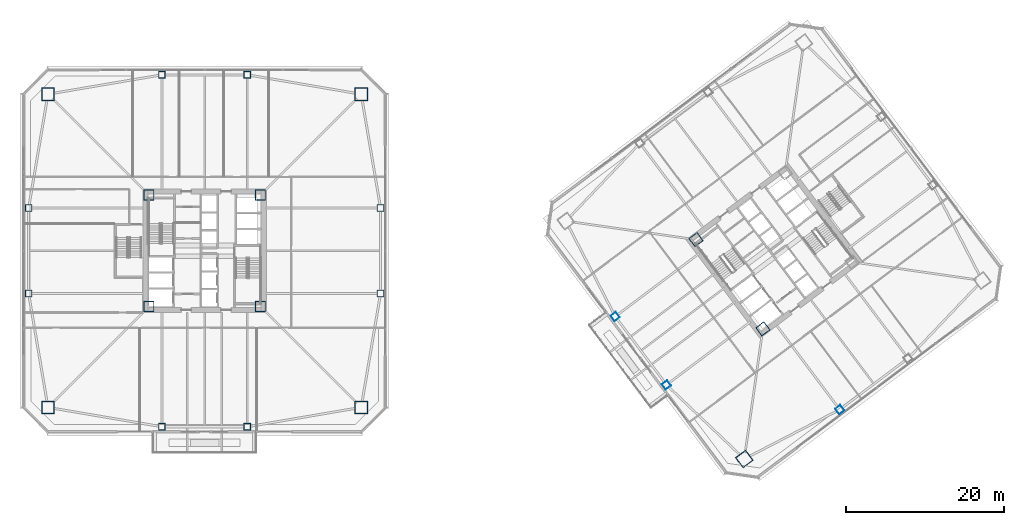
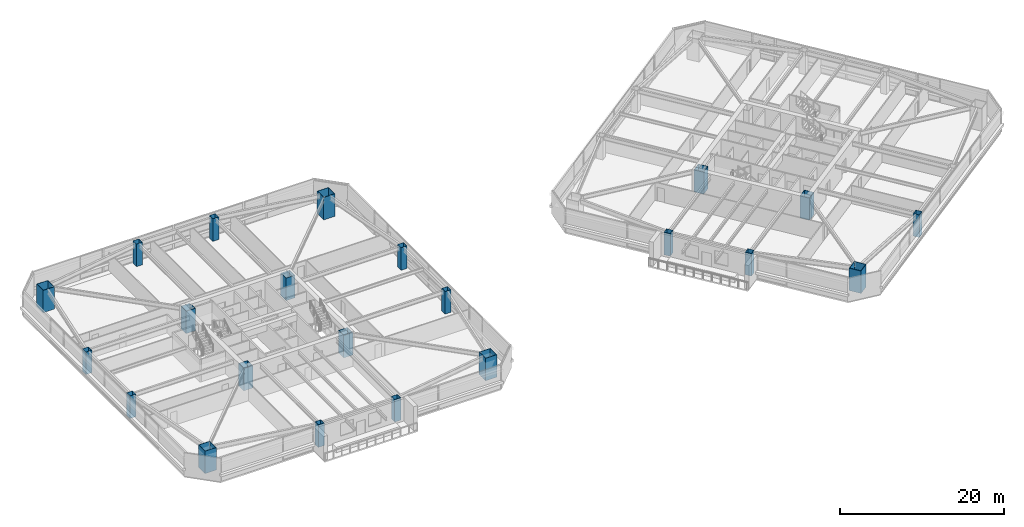
# One storey, part 1 of 48: 22 columns.
"""IFC4 building model written with IfcOpenShell, lengths in metres."""

from ifc_helpers import new_model, si_unit, direction, frame, origin, origin_2d, place, context, subcontext, project, spatial, hollow_rectangle, extrude, material, material_profile, profile_set, type_object, element, save


model = new_model("IFC4")

# Units and contexts
model_context = context("Model", 3, precision=1e-05, world=origin(), true_north=direction((0.0, 1.0)))
body_context = subcontext(model_context, "Body", "Model", "MODEL_VIEW")
ifc_project = project(units=[si_unit("LENGTHUNIT", "METRE"), si_unit("AREAUNIT", "SQUARE_METRE"), si_unit("VOLUMEUNIT", "CUBIC_METRE"), si_unit("PLANEANGLEUNIT", "RADIAN"), si_unit("MASSUNIT", "GRAM", prefix="KILO")], contexts=[model_context])

# Site, building, storey
site_placement = place(None, origin())
site = spatial("IfcSite", under=ifc_project, at=site_placement, CompositionType="ELEMENT")
building_placement = place(site_placement, origin())
building = spatial("IfcBuilding", under=site, at=building_placement, Name="Tashvorn Skyway Center", CompositionType="ELEMENT")
storey_placement = place(building_placement, frame((0.0, 0.0, 56.550048828125)))
storey = spatial("IfcBuildingStorey", under=building, at=storey_placement, Name="L14", CompositionType="ELEMENT", Elevation=56.550048828125)

# Columns
ifc_material = material(Name="Steel ASTM A572 Grade 50", Category="steel")
ifc_material_profile_1 = material_profile(ifc_material, hollow_rectangle(XDim=1.300048828125, YDim=1.300048828125, WallThickness=0.050048828125, at=origin_2d()), Name="BOX1300x1300x50")
ifc_profile_set_1 = profile_set([ifc_material_profile_1], Name="Steel ASTM A572 Grade 50")
column_type_1 = type_object("IfcColumnType", Name="COL-BOX1300x1300x50", PredefinedType="COLUMN", material=ifc_profile_set_1)
for number, where, z_axis, x_axis, name in (
    (1, (34.949951171875, 24.949951171875, 0.0), (0.0, 0.0, 1.0), (1.0, 0.0, 0.0), "Tower 1 L14 Core Corner Column CC-SW"),
    (2, (49.050048828125, 24.949951171875, 0.0), (0.0, 0.0, 1.0), (1.0, 0.0, 0.0), "Tower 1 L14 Core Corner Column CC-SE"),
    (3, (49.050048828125, 39.050048828125, 0.0), (0.0, 0.0, 1.0), (1.0, 0.0, 0.0), "Tower 1 L14 Core Corner Column CC-NE"),
    (4, (34.949951171875, 39.050048828125, 0.0), (0.0, 0.0, 1.0), (1.0, 0.0, 0.0), "Tower 1 L14 Core Corner Column CC-NW"),
    (5, (112.590087890625, 22.1298828125, 0.0), (0.0, 0.0, 1.0), (0.799999996291, 0.600000004945, 0.0), "Tower 2 L14 Core Corner Column CC-SW"),
    (6, (104.1298828125, 33.409912109375, 0.0), (0.0, 0.0, 1.0), (0.799999996291, 0.600000004945, 0.0), "Tower 2 L14 Core Corner Column CC-NW"),
):
    element("IfcColumn", number, at=place(storey_placement, frame(where, z_axis=z_axis, x_axis=x_axis)), inside=storey, type_object=column_type_1, Name=name, PredefinedType="COLUMN", context=body_context, shape_type="SweptSolid", body=[
        extrude(hollow_rectangle(XDim=1.300048828125, YDim=1.300048828125, WallThickness=0.050048828125, at=origin_2d()), origin(), (0.0, 0.0, 1.0), 3.349853515625),
    ])
ifc_material_profile_2 = material_profile(ifc_material, hollow_rectangle(XDim=1.60009765625, YDim=1.60009765625, WallThickness=0.06005859375, at=origin_2d()), Name="BOX1600x1600x60")
ifc_profile_set_2 = profile_set([ifc_material_profile_2], Name="Steel ASTM A572 Grade 50")
column_type_2 = type_object("IfcColumnType", Name="COL-BOX1600x1600x60", PredefinedType="COLUMN", material=ifc_profile_set_2)
for number, where, z_axis, x_axis, name in (
    (7, (22.199951171875, 12.199951171875, 0.0), (0.0, 0.0, 1.0), (1.0, 0.0, 0.0), "Tower 1 L14 Mega-Column MC-SW"),
    (8, (61.800048828125, 12.199951171875, 0.0), (0.0, 0.0, 1.0), (1.0, 0.0, 0.0), "Tower 1 L14 Mega-Column MC-SE"),
    (9, (61.800048828125, 51.800048828125, 0.0), (0.0, 0.0, 1.0), (1.0, 0.0, 0.0), "Tower 1 L14 Mega-Column MC-NE"),
    (10, (22.199951171875, 51.800048828125, 0.0), (0.0, 0.0, 1.0), (1.0, 0.0, 0.0), "Tower 1 L14 Mega-Column MC-NW"),
    (11, (110.239990234375, 5.679931640625, 0.0), (0.0, 0.0, 1.0), (0.799999996291, 0.600000004945, 0.0), "Tower 2 L14 Mega-Column MC-SW"),
):
    element("IfcColumn", number, at=place(storey_placement, frame(where, z_axis=z_axis, x_axis=x_axis)), inside=storey, type_object=column_type_2, Name=name, PredefinedType="COLUMN", context=body_context, shape_type="SweptSolid", body=[
        extrude(hollow_rectangle(XDim=1.60009765625, YDim=1.60009765625, WallThickness=0.06005859375, at=origin_2d()), origin(), (0.0, 0.0, 1.0), 3.349853515625),
    ])
ifc_material_profile_3 = material_profile(ifc_material, hollow_rectangle(XDim=0.85009765625, YDim=0.85009765625, WallThickness=0.034912109375, at=origin_2d()), Name="BOX850x850x35")
ifc_profile_set_3 = profile_set([ifc_material_profile_3], Name="Steel ASTM A572 Grade 50")
column_type_3 = type_object("IfcColumnType", Name="COL-BOX850x850x35", PredefinedType="COLUMN", material=ifc_profile_set_3)
for number, where, z_axis, x_axis, name in (
    (12, (36.60009765625, 9.75, 0.0), (0.0, 0.0, 1.0), (1.0, 0.0, 0.0), "Tower 1 L14 Perimeter Column FC-S1"),
    (13, (47.39990234375, 9.75, 0.0), (0.0, 0.0, 1.0), (1.0, 0.0, 0.0), "Tower 1 L14 Perimeter Column FC-S2"),
    (14, (64.25, 26.60009765625, 0.0), (0.0, 0.0, 1.0), (1.0, 0.0, 0.0), "Tower 1 L14 Perimeter Column FC-E1"),
    (15, (64.25, 37.39990234375, 0.0), (0.0, 0.0, 1.0), (1.0, 0.0, 0.0), "Tower 1 L14 Perimeter Column FC-E2"),
    (16, (47.39990234375, 54.25, 0.0), (0.0, 0.0, 1.0), (1.0, 0.0, 0.0), "Tower 1 L14 Perimeter Column FC-N1"),
    (17, (36.60009765625, 54.25, 0.0), (0.0, 0.0, 1.0), (1.0, 0.0, 0.0), "Tower 1 L14 Perimeter Column FC-N2"),
    (18, (19.75, 37.39990234375, 0.0), (0.0, 0.0, 1.0), (1.0, 0.0, 0.0), "Tower 1 L14 Perimeter Column FC-W1"),
    (19, (19.75, 26.60009765625, 0.0), (0.0, 0.0, 1.0), (1.0, 0.0, 0.0), "Tower 1 L14 Perimeter Column FC-W2"),
    (20, (122.31005859375, 11.919921875, 0.0), (0.0, 0.0, 1.0), (0.799999996291, 0.600000004945, 0.0), "Tower 2 L14 Perimeter Column FC-S1"),
    (21, (93.919921875, 23.68994140625, 0.0), (0.0, 0.0, 1.0), (0.799999996291, 0.600000004945, 0.0), "Tower 2 L14 Perimeter Column FC-W1"),
    (22, (100.39990234375, 15.050048828125, 0.0), (0.0, 0.0, 1.0), (0.799999996291, 0.600000004945, 0.0), "Tower 2 L14 Perimeter Column FC-W2"),
):
    element("IfcColumn", number, at=place(storey_placement, frame(where, z_axis=z_axis, x_axis=x_axis)), inside=storey, type_object=column_type_3, Name=name, PredefinedType="COLUMN", context=body_context, shape_type="SweptSolid", body=[
        extrude(hollow_rectangle(XDim=0.85009765625, YDim=0.85009765625, WallThickness=0.034912109375, at=origin_2d()), origin(), (0.0, 0.0, 1.0), 3.349853515625),
    ])

save(model, "model.ifc")
